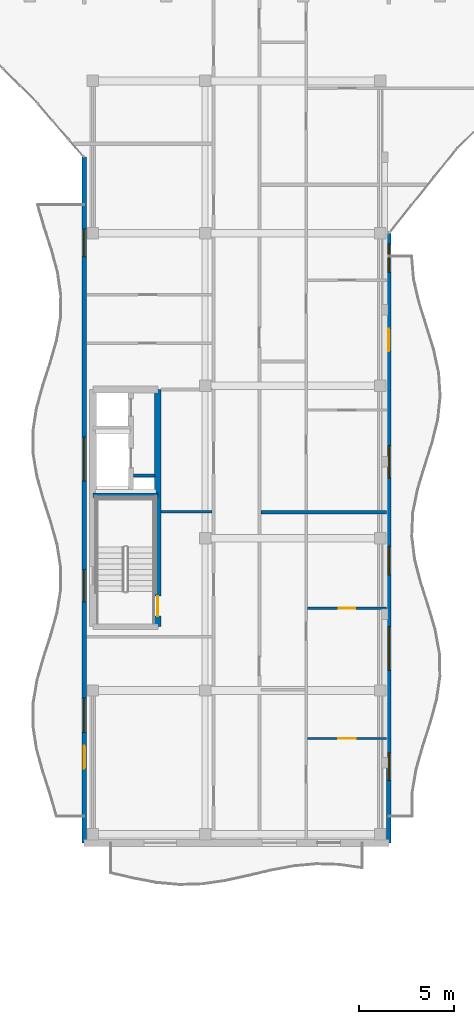
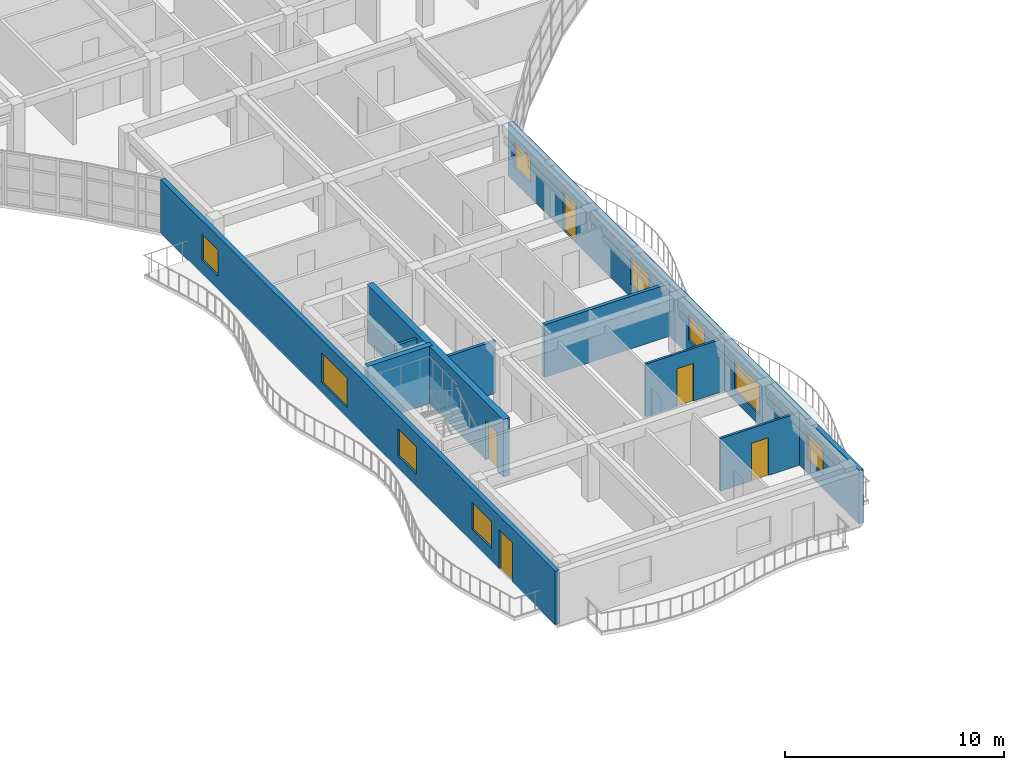
# One storey, part 39 of 79: 9 walls, 9 windows, 5 doors, 14 openings.
"""IFC4 building model written with IfcOpenShell, lengths in metres."""

from ifc_helpers import new_model, si_unit, direction, frame, frame_2d, origin, place, context, subcontext, project, spatial, rectangle, extrude, material, layer, layer_set, type_object, element, fill, save


model = new_model("IFC4")

# Units and contexts
model_context = context("Model", 3, precision=1e-05, world=origin(), true_north=direction((0.0, 1.0)))
body_context = subcontext(model_context, "Body", "Model", "MODEL_VIEW")
ifc_project = project(units=[si_unit("LENGTHUNIT", "METRE"), si_unit("AREAUNIT", "SQUARE_METRE"), si_unit("VOLUMEUNIT", "CUBIC_METRE"), si_unit("PLANEANGLEUNIT", "RADIAN"), si_unit("MASSUNIT", "GRAM", prefix="KILO")], contexts=[model_context])

# Site, building, storey
site_placement = place(None, origin())
site = spatial("IfcSite", under=ifc_project, at=site_placement, CompositionType="ELEMENT")
building_placement = place(site_placement, origin())
building = spatial("IfcBuilding", under=site, at=building_placement, Name="Keldmere Railside Commons", CompositionType="ELEMENT")
storey_placement = place(building_placement, frame((0.0, 0.0, 10.56005859375)))
storey = spatial("IfcBuildingStorey", under=building, at=storey_placement, Name="L03", CompositionType="ELEMENT", Elevation=10.56005859375)

# Wall
ifc_material_1 = material(Name="Acoustic Gypsum Board Partition", Category="gypsum")
ifc_layer_1 = layer(ifc_material_1, 0.179931640625, Name="Acoustic Demising Partition 180")
ifc_layer_set_1 = layer_set([ifc_layer_1], Name="Acoustic Gypsum Board Partition")
wall_type_1 = type_object("IfcWallType", Name="Acoustic Demising Partition 180", PredefinedType="PARTITIONING", material=ifc_layer_set_1)
wall_1_placement = place(storey_placement, frame((113.280029296875, 73.360107421875, 0.0), z_axis=(0.0, 0.0, 1.0), x_axis=(1.0, 0.0, 0.0)))
element("IfcWall", 1, at=wall_1_placement, inside=storey, type_object=wall_type_1, Name="IW-1 IW-L03-1018", PredefinedType="PARTITIONING", context=body_context, shape_type="SweptSolid", body=[
    extrude(rectangle(XDim=6.599853515625, YDim=0.179931640625, at=frame_2d((3.2998046875, 0.0))), origin(), (0.0, 0.0, 1.0), 2.93505859375),
])

# Wall, opening, door
ifc_layer_2 = layer(ifc_material_1, 0.1201171875, Name="Apartment Interior Partition 120")
ifc_layer_set_2 = layer_set([ifc_layer_2], Name="Acoustic Gypsum Board Partition")
wall_type_2 = type_object("IfcWallType", Name="Apartment Interior Partition 120", PredefinedType="PARTITIONING", material=ifc_layer_set_2)
wall_2_placement = place(storey_placement, frame((115.719970703125, 61.47998046875, 0.0), z_axis=(0.0, 0.0, 1.0), x_axis=(1.0, 0.0, 0.0)))
wall_2 = element("IfcWall", 2, at=wall_2_placement, inside=storey, type_object=wall_type_2, Name="IW-4 IW-L03-1022", PredefinedType="PARTITIONING", context=body_context, shape_type="SweptSolid", body=[
    extrude(rectangle(XDim=4.159912109375, YDim=0.1201171875, at=frame_2d((2.080078125, 0.0))), origin(), (0.0, 0.0, 1.0), 2.93505859375),
])
opening_1_placement = place(wall_2_placement, frame((1.6298828125, 0.0, 0.0)))
opening_1 = element("IfcOpeningElement", 3, at=opening_1_placement, cuts=wall_2, Name="Opening ID-01", PredefinedType="OPENING", context=body_context, shape_type="SweptSolid", body=[
    extrude(rectangle(XDim=0.89990234375, YDim=2.10009765625, at=frame_2d((0.449951171875, 1.050048828125))), frame((0.0, 0.070068359375, 0.0), z_axis=(0.0, -1.0, 0.0), x_axis=(1.0, 0.0, 0.0)), (0.0, 0.0, 1.0), 0.14013671875),
])
ifc_material_2 = material(Name="Engineered Oak Timber", Category="wood")
door_type_1 = type_object("IfcDoorType", Name="Primary Bedroom Door 900x2100", OperationType="NOTDEFINED", PredefinedType="DOOR", material=ifc_material_2)
door_1_placement = place(opening_1_placement, origin())
door_1 = element("IfcDoor", 4, at=door_1_placement, inside=storey, type_object=door_type_1, Name="ID-01 IDR-L03-0888", OperationType="SINGLE_SWING_RIGHT", OverallHeight=2.10009765625, OverallWidth=0.89990234375, PredefinedType="DOOR", context=body_context, shape_type="SweptSolid", body=[
    extrude(rectangle(XDim=0.89990234375, YDim=2.10009765625, at=frame_2d((0.449951171875, 1.050048828125))), frame((0.0, 0.02490234375, 0.0), z_axis=(0.0, -1.0, 0.0), x_axis=(1.0, 0.0, 0.0)), (0.0, 0.0, 1.0), 0.050048828125),
])
fill(opening_1, door_1)

wall_3_placement = place(storey_placement, frame((115.719970703125, 68.31005859375, 0.0), z_axis=(0.0, 0.0, 1.0), x_axis=(1.0, 0.0, 0.0)))
wall_3 = element("IfcWall", 5, at=wall_3_placement, inside=storey, type_object=wall_type_2, Name="IW-4 IW-L03-1023", PredefinedType="PARTITIONING", context=body_context, shape_type="SweptSolid", body=[
    extrude(rectangle(XDim=4.159912109375, YDim=0.1201171875, at=frame_2d((2.080078125, 0.0))), origin(), (0.0, 0.0, 1.0), 2.93505859375),
])
opening_2_placement = place(wall_3_placement, frame((1.639892578125, 0.0, 0.0)))
opening_2 = element("IfcOpeningElement", 6, at=opening_2_placement, cuts=wall_3, Name="Opening ID-02", PredefinedType="OPENING", context=body_context, shape_type="SweptSolid", body=[
    extrude(rectangle(XDim=0.8798828125, YDim=2.10009765625, at=frame_2d((0.43994140625, 1.050048828125))), frame((0.0, 0.070068359375, 0.0), z_axis=(0.0, -1.0, 0.0), x_axis=(1.0, 0.0, 0.0)), (0.0, 0.0, 1.0), 0.14013671875),
])
door_type_2 = type_object("IfcDoorType", Name="Secondary Bedroom Door 880x2100", OperationType="NOTDEFINED", PredefinedType="DOOR", material=ifc_material_2)
door_2_placement = place(opening_2_placement, origin())
door_2 = element("IfcDoor", 7, at=door_2_placement, inside=storey, type_object=door_type_2, Name="ID-02 IDR-L03-0889", OperationType="SINGLE_SWING_LEFT", OverallHeight=2.10009765625, OverallWidth=0.8798828125, PredefinedType="DOOR", context=body_context, shape_type="SweptSolid", body=[
    extrude(rectangle(XDim=0.8798828125, YDim=2.10009765625, at=frame_2d((0.43994140625, 1.050048828125))), frame((0.0, 0.02490234375, 0.0), z_axis=(0.0, -1.0, 0.0), x_axis=(1.0, 0.0, 0.0)), (0.0, 0.0, 1.0), 0.050048828125),
])
fill(opening_2, door_2)

# Wall
ifc_material_3 = material(Name="Concrete H-35 (C35/45)", Category="concrete")
ifc_layer_3 = layer(ifc_material_3, 0.280029296875, Name="Core Shear Wall 280")
ifc_layer_set_3 = layer_set([ifc_layer_3], Name="Concrete H-35 (C35/45)")
wall_type_3 = type_object("IfcWallType", Name="Core Shear Wall 280", PredefinedType="SHEAR", material=ifc_layer_set_3)
wall_4_placement = place(storey_placement, frame((104.4599609375, 74.239990234375, 0.0), z_axis=(0.0, 0.0, 1.0), x_axis=(1.0, 0.0, 0.0)))
element("IfcWall", 8, at=wall_4_placement, inside=storey, type_object=wall_type_3, Name="CSW-2 COREBM-L03-0472", PredefinedType="SHEAR", context=body_context, shape_type="SweptSolid", body=[
    extrude(rectangle(XDim=3.41015625, YDim=0.280029296875, at=frame_2d((1.705078125, 0.0))), origin(), (0.0, 0.0, 1.0), 3.199951171875),
])

# Wall, opening, door
ifc_layer_4 = layer(ifc_material_3, 0.340087890625, Name="Interior Shear Wall 340")
ifc_layer_set_4 = layer_set([ifc_layer_4], Name="Concrete H-35 (C35/45)")
wall_type_4 = type_object("IfcWallType", Name="Interior Shear Wall 340", PredefinedType="SHEAR", material=ifc_layer_set_4)
wall_5_placement = place(storey_placement, frame((107.8701171875, 79.800048828125, 0.0), z_axis=(0.0, 0.0, 1.0), x_axis=(0.0, -1.0, 0.0)))
wall_5 = element("IfcWall", 9, at=wall_5_placement, inside=storey, type_object=wall_type_4, Name="ISW-1 COREBE-L03-0470", PredefinedType="SHEAR", context=body_context, shape_type="SweptSolid", body=[
    extrude(rectangle(XDim=12.449951171875, YDim=0.340087890625, at=frame_2d((6.22509765625, 0.0))), origin(), (0.0, 0.0, 1.0), 3.199951171875),
])
opening_3_placement = place(wall_5_placement, frame((10.85009765625, 0.0, 0.0)))
opening_3 = element("IfcOpeningElement", 10, at=opening_3_placement, cuts=wall_5, Name="Opening FD-1", PredefinedType="OPENING", context=body_context, shape_type="SweptSolid", body=[
    extrude(rectangle(XDim=1.050048828125, YDim=2.14990234375, at=frame_2d((0.52490234375, 1.074951171875))), frame((0.0, 0.179931640625, 0.0), z_axis=(0.0, -1.0, 0.0), x_axis=(1.0, 0.0, 0.0)), (0.0, 0.0, 1.0), 0.360107421875),
])
ifc_material_4 = material(Name="Steel F-24 (S235)", Category="steel")
door_type_3 = type_object("IfcDoorType", Name="Stair Core Fire Door 1050x2150", OperationType="NOTDEFINED", PredefinedType="DOOR", material=ifc_material_4)
door_3_placement = place(opening_3_placement, origin())
door_3 = element("IfcDoor", 11, at=door_3_placement, inside=storey, type_object=door_type_3, Name="FD-1 B1 L03", OperationType="SINGLE_SWING_LEFT", OverallHeight=2.14990234375, OverallWidth=1.050048828125, PredefinedType="DOOR", context=body_context, shape_type="SweptSolid", body=[
    extrude(rectangle(XDim=1.050048828125, YDim=2.14990234375, at=frame_2d((0.52490234375, 1.074951171875))), frame((0.0, 0.02490234375, 0.0), z_axis=(0.0, -1.0, 0.0), x_axis=(1.0, 0.0, 0.0)), (0.0, 0.0, 1.0), 0.050048828125),
])
fill(opening_3, door_3)

# Walls
ifc_layer_5 = layer(ifc_material_1, 0.14990234375, Name="Lobby Rated Partition 150")
ifc_layer_set_5 = layer_set([ifc_layer_5], Name="Acoustic Gypsum Board Partition")
wall_type_5 = type_object("IfcWallType", Name="Lobby Rated Partition 150", PredefinedType="PARTITIONING", material=ifc_layer_set_5)
wall_6_placement = place(storey_placement, frame((106.60009765625, 75.280029296875, 0.0), z_axis=(0.0, 0.0, 1.0), x_axis=(1.0, 0.0, 0.0)))
element("IfcWall", 12, at=wall_6_placement, inside=storey, type_object=wall_type_5, Name="IW-3 RSRNB-L03-0475", PredefinedType="PARTITIONING", context=body_context, shape_type="SweptSolid", body=[
    extrude(rectangle(XDim=1.1298828125, YDim=0.14990234375, at=frame_2d((0.56494140625, 0.0))), origin(), (0.0, 0.0, 1.0), 2.949951171875),
])
wall_7_placement = place(storey_placement, frame((108.0400390625, 73.3798828125, 0.0), z_axis=(0.0, 0.0, 1.0), x_axis=(1.0, 0.0, 0.0)))
element("IfcWall", 13, at=wall_7_placement, inside=storey, type_object=wall_type_5, Name="IW-3 IW-L03-1007", PredefinedType="PARTITIONING", context=body_context, shape_type="SweptSolid", body=[
    extrude(rectangle(XDim=2.679931640625, YDim=0.14990234375, at=frame_2d((1.33984375, 0.0))), origin(), (0.0, 0.0, 1.0), 2.93505859375),
])

# Wall, openings, door, windows
ifc_material_5 = material(Name="Architectural Precast Concrete H-35 (C35/45)", Category="concrete")
ifc_layer_6 = layer(ifc_material_5, 0.239990234375, Name="Sand-Ochre Precast Cavity Wall 240")
ifc_layer_set_6 = layer_set([ifc_layer_6], Name="Architectural Precast Concrete H-35 (C35/45)")
wall_type_6 = type_object("IfcWallType", Name="Sand-Ochre Precast Cavity Wall 240", PredefinedType="SOLIDWALL", material=ifc_layer_set_6)
wall_8_placement = place(storey_placement, frame((120.0, 88.0, 0.0), z_axis=(0.0, 0.0, 1.0), x_axis=(0.0, -1.0, 0.0)))
wall_8 = element("IfcWall", 14, at=wall_8_placement, inside=storey, type_object=wall_type_6, Name="EW-2 EXTB-L03-0603", PredefinedType="SOLIDWALL", context=body_context, shape_type="SweptSolid", body=[
    extrude(rectangle(XDim=32.0, YDim=0.239990234375, at=frame_2d((16.0, 0.0))), origin(), (0.0, 0.0, 1.0), 2.97998046875),
])
opening_4_placement = place(wall_8_placement, frame((5.0, 0.0, 0.0)))
opening_4 = element("IfcOpeningElement", 15, at=opening_4_placement, cuts=wall_8, Name="Opening BD-01", PredefinedType="OPENING", context=body_context, shape_type="SweptSolid", body=[
    extrude(rectangle(XDim=1.199951171875, YDim=2.199951171875, at=frame_2d((0.60009765625, 1.10009765625))), frame((0.0, 0.1298828125, 0.0), z_axis=(0.0, -1.0, 0.0), x_axis=(1.0, 0.0, 0.0)), (0.0, 0.0, 1.0), 0.260009765625),
])
opening_5_placement = place(wall_8_placement, frame((11.14990234375, 0.0, 0.719970703125)))
opening_5 = element("IfcOpeningElement", 16, at=opening_5_placement, cuts=wall_8, Name="Opening WN-20", PredefinedType="OPENING", context=body_context, shape_type="SweptSolid", body=[
    extrude(rectangle(XDim=1.699951171875, YDim=1.5, at=frame_2d((0.85009765625, 0.75))), frame((0.0, 0.1298828125, 0.0), z_axis=(0.0, -1.0, 0.0), x_axis=(1.0, 0.0, 0.0)), (0.0, 0.0, 1.0), 0.260009765625),
])
opening_6_placement = place(wall_8_placement, frame((20.64990234375, 0.0, 0.570068359375)))
opening_6 = element("IfcOpeningElement", 17, at=opening_6_placement, cuts=wall_8, Name="Opening WN-23", PredefinedType="OPENING", context=body_context, shape_type="SweptSolid", body=[
    extrude(rectangle(XDim=2.300048828125, YDim=1.64990234375, at=frame_2d((1.14990234375, 0.824951171875))), frame((0.0, 0.1298828125, 0.0), z_axis=(0.0, -1.0, 0.0), x_axis=(1.0, 0.0, 0.0)), (0.0, 0.0, 1.0), 0.260009765625),
])
opening_7_placement = place(wall_8_placement, frame((27.27490234375, 0.0, 0.77001953125)))
opening_7 = element("IfcOpeningElement", 18, at=opening_7_placement, cuts=wall_8, Name="Opening WN-24", PredefinedType="OPENING", context=body_context, shape_type="SweptSolid", body=[
    extrude(rectangle(XDim=1.449951171875, YDim=1.449951171875, at=frame_2d((0.72509765625, 0.72509765625))), frame((0.0, 0.1298828125, 0.0), z_axis=(0.0, -1.0, 0.0), x_axis=(1.0, 0.0, 0.0)), (0.0, 0.0, 1.0), 0.260009765625),
])
opening_8_placement = place(wall_8_placement, frame((16.43505859375, 0.0, 0.820068359375)))
opening_8 = element("IfcOpeningElement", 19, at=opening_8_placement, cuts=wall_8, Name="Opening WN-06", PredefinedType="OPENING", context=body_context, shape_type="SweptSolid", body=[
    extrude(rectangle(XDim=1.5, YDim=1.39990234375, at=frame_2d((0.75, 0.699951171875))), frame((0.0, 0.1298828125, 0.0), z_axis=(0.0, -1.0, 0.0), x_axis=(1.0, 0.0, 0.0)), (0.0, 0.0, 1.0), 0.260009765625),
])
opening_9_placement = place(wall_8_placement, frame((0.550048828125, 0.0, 0.820068359375)))
opening_9 = element("IfcOpeningElement", 20, at=opening_9_placement, cuts=wall_8, Name="Opening WN-06", PredefinedType="OPENING", context=body_context, shape_type="SweptSolid", body=[
    extrude(rectangle(XDim=1.5, YDim=1.39990234375, at=frame_2d((0.75, 0.699951171875))), frame((0.0, 0.1298828125, 0.0), z_axis=(0.0, -1.0, 0.0), x_axis=(1.0, 0.0, 0.0)), (0.0, 0.0, 1.0), 0.260009765625),
])
ifc_material_6 = material(Name="Thermally Broken Aluminium", Category="aluminium")
door_type_4 = type_object("IfcDoorType", Name="Apartment Living Wave-Balcony Glazed Door 1200x2200", OperationType="NOTDEFINED", PredefinedType="DOOR", material=ifc_material_6)
door_4_placement = place(opening_4_placement, origin())
door_4 = element("IfcDoor", 21, at=door_4_placement, inside=storey, type_object=door_type_4, Name="BD-01 DR-L03-0145", OperationType="SINGLE_SWING_LEFT", OverallHeight=2.199951171875, OverallWidth=1.199951171875, PredefinedType="DOOR", context=body_context, shape_type="SweptSolid", body=[
    extrude(rectangle(XDim=1.199951171875, YDim=2.199951171875, at=frame_2d((0.60009765625, 1.10009765625))), frame((0.0, 0.02490234375, 0.0), z_axis=(0.0, -1.0, 0.0), x_axis=(1.0, 0.0, 0.0)), (0.0, 0.0, 1.0), 0.050048828125),
])
fill(opening_4, door_4)
ifc_material_7 = material(Name="Low-E Insulated Double Glazing", Category="glass")
window_type_1 = type_object("IfcWindowType", Name="Primary Bedroom North Window 1500x1400", PartitioningType="SINGLE_PANEL", PredefinedType="WINDOW", material=ifc_material_7)
window_1_placement = place(opening_8_placement, origin())
window_1 = element("IfcWindow", 22, at=window_1_placement, inside=storey, type_object=window_type_1, Name="WN-06 WIN-L03-9022", OverallHeight=1.39990234375, OverallWidth=1.5, PartitioningType="SINGLE_PANEL", PredefinedType="WINDOW", context=body_context, shape_type="SweptSolid", body=[
    extrude(rectangle(XDim=1.5, YDim=1.39990234375, at=frame_2d((0.75, 0.699951171875))), frame((0.0, 0.030029296875, 0.0), z_axis=(0.0, -1.0, 0.0), x_axis=(1.0, 0.0, 0.0)), (0.0, 0.0, 1.0), 0.06005859375),
])
fill(opening_8, window_1)
window_2_placement = place(opening_9_placement, origin())
window_2 = element("IfcWindow", 23, at=window_2_placement, inside=storey, type_object=window_type_1, Name="WN-06 WIN-L03-9023", OverallHeight=1.39990234375, OverallWidth=1.5, PartitioningType="SINGLE_PANEL", PredefinedType="WINDOW", context=body_context, shape_type="SweptSolid", body=[
    extrude(rectangle(XDim=1.5, YDim=1.39990234375, at=frame_2d((0.75, 0.699951171875))), frame((0.0, 0.030029296875, 0.0), z_axis=(0.0, -1.0, 0.0), x_axis=(1.0, 0.0, 0.0)), (0.0, 0.0, 1.0), 0.06005859375),
])
fill(opening_9, window_2)
window_type_2 = type_object("IfcWindowType", Name="Setback Terrace Bedroom Window 1450x1450", PartitioningType="SINGLE_PANEL", PredefinedType="WINDOW", material=ifc_material_7)
window_3_placement = place(opening_7_placement, origin())
window_3 = element("IfcWindow", 24, at=window_3_placement, inside=storey, type_object=window_type_2, Name="WN-24 WIN-L03-0404", OverallHeight=1.449951171875, OverallWidth=1.449951171875, PartitioningType="SINGLE_PANEL", PredefinedType="WINDOW", context=body_context, shape_type="SweptSolid", body=[
    extrude(rectangle(XDim=1.449951171875, YDim=1.449951171875, at=frame_2d((0.72509765625, 0.72509765625))), frame((0.0, 0.030029296875, 0.0), z_axis=(0.0, -1.0, 0.0), x_axis=(1.0, 0.0, 0.0)), (0.0, 0.0, 1.0), 0.06005859375),
])
fill(opening_7, window_3)
window_type_3 = type_object("IfcWindowType", Name="Setback Terrace Penthouse Window 2300x1650", PartitioningType="SINGLE_PANEL", PredefinedType="WINDOW", material=ifc_material_7)
window_4_placement = place(opening_6_placement, origin())
window_4 = element("IfcWindow", 25, at=window_4_placement, inside=storey, type_object=window_type_3, Name="WN-23 WIN-L03-0403", OverallHeight=1.64990234375, OverallWidth=2.300048828125, PartitioningType="SINGLE_PANEL", PredefinedType="WINDOW", context=body_context, shape_type="SweptSolid", body=[
    extrude(rectangle(XDim=2.300048828125, YDim=1.64990234375, at=frame_2d((1.14990234375, 0.824951171875))), frame((0.0, 0.030029296875, 0.0), z_axis=(0.0, -1.0, 0.0), x_axis=(1.0, 0.0, 0.0)), (0.0, 0.0, 1.0), 0.06005859375),
])
fill(opening_6, window_4)
window_type_4 = type_object("IfcWindowType", Name="Study Room Quiet Casement Window 1700x1500", PartitioningType="SINGLE_PANEL", PredefinedType="WINDOW", material=ifc_material_7)
window_5_placement = place(opening_5_placement, origin())
window_5 = element("IfcWindow", 26, at=window_5_placement, inside=storey, type_object=window_type_4, Name="WN-20 WIN-L03-0402", OverallHeight=1.5, OverallWidth=1.699951171875, PartitioningType="SINGLE_PANEL", PredefinedType="WINDOW", context=body_context, shape_type="SweptSolid", body=[
    extrude(rectangle(XDim=1.699951171875, YDim=1.5, at=frame_2d((0.85009765625, 0.75))), frame((0.0, 0.030029296875, 0.0), z_axis=(0.0, -1.0, 0.0), x_axis=(1.0, 0.0, 0.0)), (0.0, 0.0, 1.0), 0.06005859375),
])
fill(opening_5, window_5)

wall_9_placement = place(storey_placement, frame((104.0, 56.0, 0.0), z_axis=(0.0, 0.0, 1.0), x_axis=(0.0, 1.0, 0.0)))
wall_9 = element("IfcWall", 27, at=wall_9_placement, inside=storey, type_object=wall_type_6, Name="EW-2 EXTB-L03-0609", PredefinedType="SOLIDWALL", context=body_context, shape_type="SweptSolid", body=[
    extrude(rectangle(XDim=36.0, YDim=0.239990234375, at=frame_2d((18.0, 0.0))), origin(), (0.0, 0.0, 1.0), 2.97998046875),
])
opening_10_placement = place(wall_9_placement, frame((3.89990234375, 0.0, 0.0)))
opening_10 = element("IfcOpeningElement", 28, at=opening_10_placement, cuts=wall_9, Name="Opening BD-01", PredefinedType="OPENING", context=body_context, shape_type="SweptSolid", body=[
    extrude(rectangle(XDim=1.199951171875, YDim=2.199951171875, at=frame_2d((0.60009765625, 1.10009765625))), frame((0.0, 0.1298828125, 0.0), z_axis=(0.0, -1.0, 0.0), x_axis=(1.0, 0.0, 0.0)), (0.0, 0.0, 1.0), 0.260009765625),
])
opening_11_placement = place(wall_9_placement, frame((5.800048828125, 0.0, 0.719970703125)))
opening_11 = element("IfcOpeningElement", 29, at=opening_11_placement, cuts=wall_9, Name="Opening WN-01", PredefinedType="OPENING", context=body_context, shape_type="SweptSolid", body=[
    extrude(rectangle(XDim=1.800048828125, YDim=1.5, at=frame_2d((0.89990234375, 0.75))), frame((0.0, 0.1298828125, 0.0), z_axis=(0.0, -1.0, 0.0), x_axis=(1.0, 0.0, 0.0)), (0.0, 0.0, 1.0), 0.260009765625),
])
opening_12_placement = place(wall_9_placement, frame((12.64990234375, 0.0, 0.719970703125)))
opening_12 = element("IfcOpeningElement", 30, at=opening_12_placement, cuts=wall_9, Name="Opening WN-20", PredefinedType="OPENING", context=body_context, shape_type="SweptSolid", body=[
    extrude(rectangle(XDim=1.699951171875, YDim=1.5, at=frame_2d((0.85009765625, 0.75))), frame((0.0, 0.1298828125, 0.0), z_axis=(0.0, -1.0, 0.0), x_axis=(1.0, 0.0, 0.0)), (0.0, 0.0, 1.0), 0.260009765625),
])
opening_13_placement = place(wall_9_placement, frame((19.0, 0.0, 0.570068359375)))
opening_13 = element("IfcOpeningElement", 31, at=opening_13_placement, cuts=wall_9, Name="Opening WN-23", PredefinedType="OPENING", context=body_context, shape_type="SweptSolid", body=[
    extrude(rectangle(XDim=2.300048828125, YDim=1.64990234375, at=frame_2d((1.14990234375, 0.824951171875))), frame((0.0, 0.1298828125, 0.0), z_axis=(0.0, -1.0, 0.0), x_axis=(1.0, 0.0, 0.0)), (0.0, 0.0, 1.0), 0.260009765625),
])
opening_14_placement = place(wall_9_placement, frame((30.77490234375, 0.0, 0.77001953125)))
opening_14 = element("IfcOpeningElement", 32, at=opening_14_placement, cuts=wall_9, Name="Opening WN-24", PredefinedType="OPENING", context=body_context, shape_type="SweptSolid", body=[
    extrude(rectangle(XDim=1.449951171875, YDim=1.449951171875, at=frame_2d((0.72509765625, 0.72509765625))), frame((0.0, 0.1298828125, 0.0), z_axis=(0.0, -1.0, 0.0), x_axis=(1.0, 0.0, 0.0)), (0.0, 0.0, 1.0), 0.260009765625),
])
door_5_placement = place(opening_10_placement, origin())
door_5 = element("IfcDoor", 33, at=door_5_placement, inside=storey, type_object=door_type_4, Name="BD-01 DR-L03-0151", OperationType="SINGLE_SWING_LEFT", OverallHeight=2.199951171875, OverallWidth=1.199951171875, PredefinedType="DOOR", context=body_context, shape_type="SweptSolid", body=[
    extrude(rectangle(XDim=1.199951171875, YDim=2.199951171875, at=frame_2d((0.60009765625, 1.10009765625))), frame((0.0, 0.02490234375, 0.0), z_axis=(0.0, -1.0, 0.0), x_axis=(1.0, 0.0, 0.0)), (0.0, 0.0, 1.0), 0.050048828125),
])
fill(opening_10, door_5)
window_type_5 = type_object("IfcWindowType", Name="Living Room North Casement Window 1800x1500", PartitioningType="SINGLE_PANEL", PredefinedType="WINDOW", material=ifc_material_7)
window_6_placement = place(opening_11_placement, origin())
window_6 = element("IfcWindow", 34, at=window_6_placement, inside=storey, type_object=window_type_5, Name="WN-01 WIN-L03-0413", OverallHeight=1.5, OverallWidth=1.800048828125, PartitioningType="SINGLE_PANEL", PredefinedType="WINDOW", context=body_context, shape_type="SweptSolid", body=[
    extrude(rectangle(XDim=1.800048828125, YDim=1.5, at=frame_2d((0.89990234375, 0.75))), frame((0.0, 0.030029296875, 0.0), z_axis=(0.0, -1.0, 0.0), x_axis=(1.0, 0.0, 0.0)), (0.0, 0.0, 1.0), 0.06005859375),
])
fill(opening_11, window_6)
window_7_placement = place(opening_14_placement, origin())
window_7 = element("IfcWindow", 35, at=window_7_placement, inside=storey, type_object=window_type_2, Name="WN-24 WIN-L03-0416", OverallHeight=1.449951171875, OverallWidth=1.449951171875, PartitioningType="SINGLE_PANEL", PredefinedType="WINDOW", context=body_context, shape_type="SweptSolid", body=[
    extrude(rectangle(XDim=1.449951171875, YDim=1.449951171875, at=frame_2d((0.72509765625, 0.72509765625))), frame((0.0, 0.030029296875, 0.0), z_axis=(0.0, -1.0, 0.0), x_axis=(1.0, 0.0, 0.0)), (0.0, 0.0, 1.0), 0.06005859375),
])
fill(opening_14, window_7)
window_8_placement = place(opening_13_placement, origin())
window_8 = element("IfcWindow", 36, at=window_8_placement, inside=storey, type_object=window_type_3, Name="WN-23 WIN-L03-0415", OverallHeight=1.64990234375, OverallWidth=2.300048828125, PartitioningType="SINGLE_PANEL", PredefinedType="WINDOW", context=body_context, shape_type="SweptSolid", body=[
    extrude(rectangle(XDim=2.300048828125, YDim=1.64990234375, at=frame_2d((1.14990234375, 0.824951171875))), frame((0.0, 0.030029296875, 0.0), z_axis=(0.0, -1.0, 0.0), x_axis=(1.0, 0.0, 0.0)), (0.0, 0.0, 1.0), 0.06005859375),
])
fill(opening_13, window_8)
window_9_placement = place(opening_12_placement, origin())
window_9 = element("IfcWindow", 37, at=window_9_placement, inside=storey, type_object=window_type_4, Name="WN-20 WIN-L03-0414", OverallHeight=1.5, OverallWidth=1.699951171875, PartitioningType="SINGLE_PANEL", PredefinedType="WINDOW", context=body_context, shape_type="SweptSolid", body=[
    extrude(rectangle(XDim=1.699951171875, YDim=1.5, at=frame_2d((0.85009765625, 0.75))), frame((0.0, 0.030029296875, 0.0), z_axis=(0.0, -1.0, 0.0), x_axis=(1.0, 0.0, 0.0)), (0.0, 0.0, 1.0), 0.06005859375),
])
fill(opening_12, window_9)

save(model, "model.ifc")
